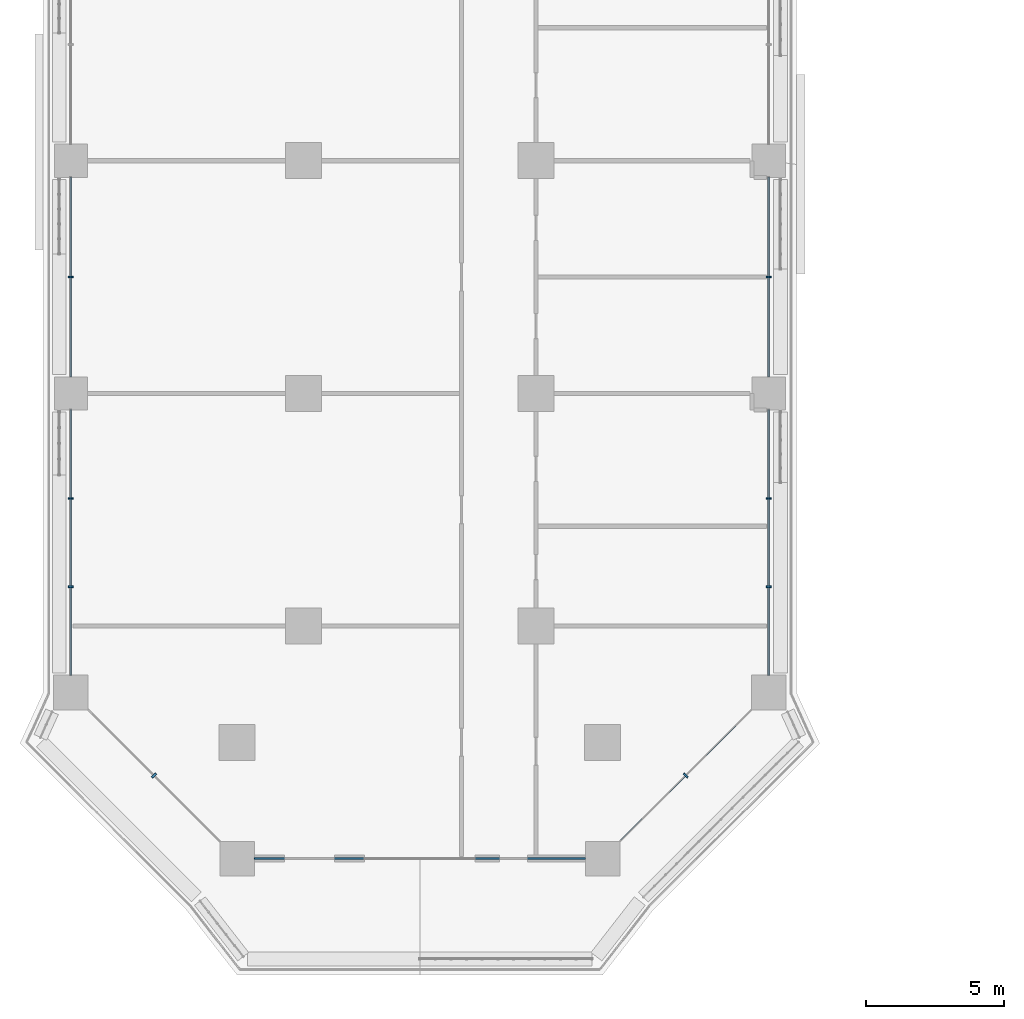
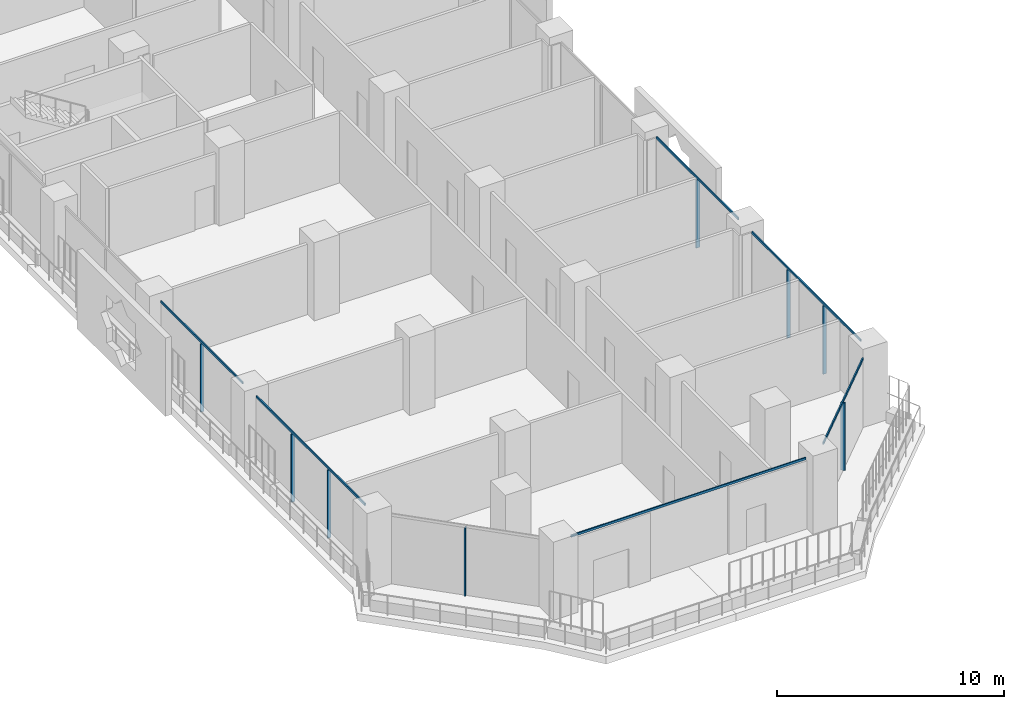
# One storey, part 2 of 28: 14 members, 5 elements without a shape of their own.
"""IFC4 building model written with IfcOpenShell, lengths in metres."""

from ifc_helpers import new_model, si_unit, direction, frame, origin, origin_2d, place, context, subcontext, project, spatial, rectangle, extrude, material, layer, layer_set, material_profile, profile_set, type_object, element, aggregate, save


model = new_model("IFC4")

# Units and contexts
model_context = context("Model", 3, precision=1e-05, world=origin(), true_north=direction((0.0, 1.0)))
body_context = subcontext(model_context, "Body", "Model", "MODEL_VIEW")
ifc_project = project(units=[si_unit("LENGTHUNIT", "METRE"), si_unit("AREAUNIT", "SQUARE_METRE"), si_unit("VOLUMEUNIT", "CUBIC_METRE"), si_unit("PLANEANGLEUNIT", "RADIAN"), si_unit("MASSUNIT", "GRAM", prefix="KILO")], contexts=[model_context])

# Site, building, storey
site_placement = place(None, origin())
site = spatial("IfcSite", under=ifc_project, at=site_placement, CompositionType="ELEMENT")
building_placement = place(site_placement, origin())
building = spatial("IfcBuilding", under=site, at=building_placement, Name="Kawkab Arch Medical Tower", CompositionType="ELEMENT")
storey_placement = place(building_placement, frame((0.0, 0.0, 47.60009765625)))
storey = spatial("IfcBuildingStorey", under=building, at=storey_placement, Name="L10", CompositionType="ELEMENT", Elevation=47.60009765625)

# Curtain wall, members
ifc_material_1 = material(Name="Bronze anodised aluminium curtain wall frame", Category="aluminium")
ifc_layer_1 = layer(ifc_material_1, 0.159912109375)
ifc_layer_set_1 = layer_set([ifc_layer_1], Name="Bronze anodised aluminium curtain wall frame")
curtain_wall_type_1 = type_object("IfcCurtainWallType", Name="CW1 ward curtain wall", PredefinedType="NOTDEFINED", material=ifc_layer_set_1)
placement = place(storey_placement, origin())
curtain_wall_1 = element("IfcCurtainWall", 1, at=placement, inside=storey, type_object=curtain_wall_type_1, Name="CW1 Ward curtain wall R11", PredefinedType="NOTDEFINED")
ifc_material_2 = material(Name="Bronze anodised aluminium curtain wall frame", Category="aluminium")
ifc_material_profile_1 = material_profile(ifc_material_2, rectangle(XDim=0.179931640625, YDim=0.06005859375, at=origin_2d()), Name="AL 60x180")
ifc_profile_set_1 = profile_set([ifc_material_profile_1], Name="Bronze anodised aluminium curtain wall frame")
member_type_1 = type_object("IfcMemberType", Name="CW1 mullion 60 x 180", PredefinedType="MULLION", material=ifc_profile_set_1)
member_1_placement = place(storey_placement, frame((0.0, -54.60009765625, 0.0), z_axis=(0.0, 0.0, 1.0), x_axis=(1.0, 0.0, 0.0)))
member_1 = element("IfcMember", 2, at=member_1_placement, type_object=member_type_1, Name="CW1 mullion 6.1", PredefinedType="MULLION", context=body_context, shape_type="SweptSolid", body=[
    extrude(rectangle(XDim=0.179931640625, YDim=0.06005859375, at=origin_2d()), origin(), (0.0, 0.0, 1.0), 3.659912109375),
])
member_2_placement = place(storey_placement, frame((0.0, -62.591552734375, 0.0), z_axis=(0.0, 0.0, 1.0), x_axis=(1.0, 0.0, 0.0)))
member_2 = element("IfcMember", 3, at=member_2_placement, type_object=member_type_1, Name="CW1 mullion 7.1", PredefinedType="MULLION", context=body_context, shape_type="SweptSolid", body=[
    extrude(rectangle(XDim=0.179931640625, YDim=0.06005859375, at=origin_2d()), origin(), (0.0, 0.0, 1.0), 3.659912109375),
])
member_3_placement = place(storey_placement, frame((0.0, -65.783447265625, 0.0), z_axis=(0.0, 0.0, 1.0), x_axis=(1.0, 0.0, 0.0)))
member_3 = element("IfcMember", 4, at=member_3_placement, type_object=member_type_1, Name="CW1 mullion 7.2", PredefinedType="MULLION", context=body_context, shape_type="SweptSolid", body=[
    extrude(rectangle(XDim=0.179931640625, YDim=0.06005859375, at=origin_2d()), origin(), (0.0, 0.0, 1.0), 3.659912109375),
])

curtain_wall_2 = element("IfcCurtainWall", 5, at=placement, inside=storey, type_object=curtain_wall_type_1, Name="CW1 Ward curtain wall R15", PredefinedType="NOTDEFINED")
member_4_placement = place(storey_placement, frame((25.199951171875, -65.783447265625, 0.0), z_axis=(0.0, 0.0, 1.0), x_axis=(-1.0, 0.0, 0.0)))
member_4 = element("IfcMember", 6, at=member_4_placement, type_object=member_type_1, Name="CW1 mullion 1.1", PredefinedType="MULLION", context=body_context, shape_type="SweptSolid", body=[
    extrude(rectangle(XDim=0.179931640625, YDim=0.06005859375, at=origin_2d()), origin(), (0.0, 0.0, 1.0), 3.659912109375),
])
member_5_placement = place(storey_placement, frame((25.199951171875, -62.591552734375, 0.0), z_axis=(0.0, 0.0, 1.0), x_axis=(-1.0, 0.0, 0.0)))
member_5 = element("IfcMember", 7, at=member_5_placement, type_object=member_type_1, Name="CW1 mullion 1.2", PredefinedType="MULLION", context=body_context, shape_type="SweptSolid", body=[
    extrude(rectangle(XDim=0.179931640625, YDim=0.06005859375, at=origin_2d()), origin(), (0.0, 0.0, 1.0), 3.659912109375),
])
member_6_placement = place(storey_placement, frame((25.199951171875, -54.60009765625, 0.0), z_axis=(0.0, 0.0, 1.0), x_axis=(-1.0, 0.0, 0.0)))
member_6 = element("IfcMember", 8, at=member_6_placement, type_object=member_type_1, Name="CW1 mullion 2.1", PredefinedType="MULLION", context=body_context, shape_type="SweptSolid", body=[
    extrude(rectangle(XDim=0.179931640625, YDim=0.06005859375, at=origin_2d()), origin(), (0.0, 0.0, 1.0), 3.659912109375),
])

# Member
ifc_material_3 = material(Name="Bronze anodised aluminium curtain wall frame", Category="aluminium")
ifc_material_profile_2 = material_profile(ifc_material_3, rectangle(XDim=0.06005859375, YDim=0.1201171875, at=origin_2d()), Name="AL 60x120")
ifc_profile_set_2 = profile_set([ifc_material_profile_2], Name="Bronze anodised aluminium curtain wall frame")
member_type_2 = type_object("IfcMemberType", Name="CW1 transom 120 x 60", PredefinedType="USERDEFINED", material=ifc_profile_set_2)
member_7_placement = place(storey_placement, frame((0.0, -51.0, 3.719970703125), z_axis=(0.0, -1.0, 0.0), x_axis=(1.0, 0.0, 0.0)))
member_7 = element("IfcMember", 9, at=member_7_placement, type_object=member_type_2, Name="CW1 transom 6", ObjectType="TRANSOM", PredefinedType="USERDEFINED", context=body_context, shape_type="SweptSolid", body=[
    extrude(rectangle(XDim=0.06005859375, YDim=0.1201171875, at=origin_2d()), origin(), (0.0, 0.0, 1.0), 7.199951171875),
])

member_8_placement = place(storey_placement, frame((0.0, -59.39990234375, 3.719970703125), z_axis=(0.0, -1.0, 0.0), x_axis=(1.0, 0.0, 0.0)))
member_8 = element("IfcMember", 10, at=member_8_placement, type_object=member_type_2, Name="CW1 transom 7", ObjectType="TRANSOM", PredefinedType="USERDEFINED", context=body_context, shape_type="SweptSolid", body=[
    extrude(rectangle(XDim=0.06005859375, YDim=0.1201171875, at=origin_2d()), origin(), (0.0, 0.0, 1.0), 9.5751953125),
])

aggregate(curtain_wall_1, [member_7, member_1, member_8, member_2, member_3])

# Curtain wall, member
curtain_wall_3 = element("IfcCurtainWall", 11, at=placement, inside=storey, type_object=curtain_wall_type_1, Name="CW1 Ward curtain wall R13", PredefinedType="NOTDEFINED")
member_9_placement = place(storey_placement, frame((6.625, -75.60009765625, 3.719970703125), z_axis=(1.0, 0.0, 0.0), x_axis=(0.0, 1.0, 0.0)))
member_9 = element("IfcMember", 12, at=member_9_placement, type_object=member_type_2, Name="CW1 transom 1", ObjectType="TRANSOM", PredefinedType="USERDEFINED", context=body_context, shape_type="SweptSolid", body=[
    extrude(rectangle(XDim=0.06005859375, YDim=0.1201171875, at=origin_2d()), origin(), (0.0, 0.0, 1.0), 11.949951171875),
])
aggregate(curtain_wall_3, [member_9])

# Member
member_10_placement = place(storey_placement, frame((25.199951171875, -68.97509765625, 3.719970703125), z_axis=(0.0, 1.0, 0.0), x_axis=(-1.0, 0.0, 0.0)))
member_10 = element("IfcMember", 13, at=member_10_placement, type_object=member_type_2, Name="CW1 transom 1", ObjectType="TRANSOM", PredefinedType="USERDEFINED", context=body_context, shape_type="SweptSolid", body=[
    extrude(rectangle(XDim=0.06005859375, YDim=0.1201171875, at=origin_2d()), origin(), (0.0, 0.0, 1.0), 9.5751953125),
])

member_11_placement = place(storey_placement, frame((25.199951171875, -58.199951171875, 3.719970703125), z_axis=(0.0, 1.0, 0.0), x_axis=(-1.0, 0.0, 0.0)))
member_11 = element("IfcMember", 14, at=member_11_placement, type_object=member_type_2, Name="CW1 transom 2", ObjectType="TRANSOM", PredefinedType="USERDEFINED", context=body_context, shape_type="SweptSolid", body=[
    extrude(rectangle(XDim=0.06005859375, YDim=0.1201171875, at=origin_2d()), origin(), (0.0, 0.0, 1.0), 7.199951171875),
])

aggregate(curtain_wall_2, [member_10, member_4, member_5, member_11, member_6])

# Curtain wall, member
ifc_material_4 = material(Name="Bronze anodised aluminium curtain wall frame", Category="aluminium")
ifc_layer_2 = layer(ifc_material_4, 0.159912109375)
ifc_layer_set_2 = layer_set([ifc_layer_2], Name="Bronze anodised aluminium curtain wall frame")
curtain_wall_type_2 = type_object("IfcCurtainWallType", Name="CW2 chamfer curtain wall", PredefinedType="NOTDEFINED", material=ifc_layer_set_2)
curtain_wall_4 = element("IfcCurtainWall", 15, at=placement, inside=storey, type_object=curtain_wall_type_2, Name="CW2 Chamfer curtain wall R12", PredefinedType="NOTDEFINED")
ifc_material_5 = material(Name="Bronze anodised aluminium curtain wall frame", Category="aluminium")
ifc_material_profile_3 = material_profile(ifc_material_5, rectangle(XDim=0.199951171875, YDim=0.06005859375, at=origin_2d()), Name="AL 60x200")
ifc_profile_set_3 = profile_set([ifc_material_profile_3], Name="Bronze anodised aluminium curtain wall frame")
member_type_3 = type_object("IfcMemberType", Name="CW2 mullion 60 x 200", PredefinedType="MULLION", material=ifc_profile_set_3)
member_12_placement = place(storey_placement, frame((3.0, -72.60009765625, 0.0), z_axis=(0.0, 0.0, 1.0), x_axis=(0.707106781187, 0.707106781187, 0.0)))
member_12 = element("IfcMember", 16, at=member_12_placement, type_object=member_type_3, Name="CW2 mullion 1.1", PredefinedType="MULLION", context=body_context, shape_type="SweptSolid", body=[
    extrude(rectangle(XDim=0.199951171875, YDim=0.06005859375, at=origin_2d()), origin(), (0.0, 0.0, 1.0), 3.639892578125),
])
aggregate(curtain_wall_4, [member_12])

# Curtain wall, members
curtain_wall_5 = element("IfcCurtainWall", 17, at=placement, inside=storey, type_object=curtain_wall_type_2, Name="CW2 Chamfer curtain wall R14", PredefinedType="NOTDEFINED")
member_13_placement = place(storey_placement, frame((22.199951171875, -72.60009765625, 0.0), z_axis=(0.0, 0.0, 1.0), x_axis=(-0.707106781187, 0.707106781187, 0.0)))
member_13 = element("IfcMember", 18, at=member_13_placement, type_object=member_type_3, Name="CW2 mullion 1.1", PredefinedType="MULLION", context=body_context, shape_type="SweptSolid", body=[
    extrude(rectangle(XDim=0.199951171875, YDim=0.06005859375, at=origin_2d()), origin(), (0.0, 0.0, 1.0), 3.639892578125),
])
ifc_material_6 = material(Name="Bronze anodised aluminium curtain wall frame", Category="aluminium")
ifc_material_profile_4 = material_profile(ifc_material_6, rectangle(XDim=0.06005859375, YDim=0.139892578125, at=origin_2d()), Name="AL 60x140")
ifc_profile_set_4 = profile_set([ifc_material_profile_4], Name="Bronze anodised aluminium curtain wall frame")
member_type_4 = type_object("IfcMemberType", Name="CW2 transom 140 x 60", PredefinedType="USERDEFINED", material=ifc_profile_set_4)
member_14_placement = place(storey_placement, frame((19.824951171875, -74.97509765625, 3.7099609375), z_axis=(0.707106781187, 0.707106781187, 0.0), x_axis=(-0.707106781187, 0.707106781187, 0.0)))
member_14 = element("IfcMember", 19, at=member_14_placement, type_object=member_type_4, Name="CW2 transom 1", ObjectType="TRANSOM", PredefinedType="USERDEFINED", context=body_context, shape_type="SweptSolid", body=[
    extrude(rectangle(XDim=0.06005859375, YDim=0.139892578125, at=origin_2d()), origin(), (0.0, 0.0, 1.0), 6.717529296875),
])
aggregate(curtain_wall_5, [member_14, member_13])

save(model, "model.ifc")
